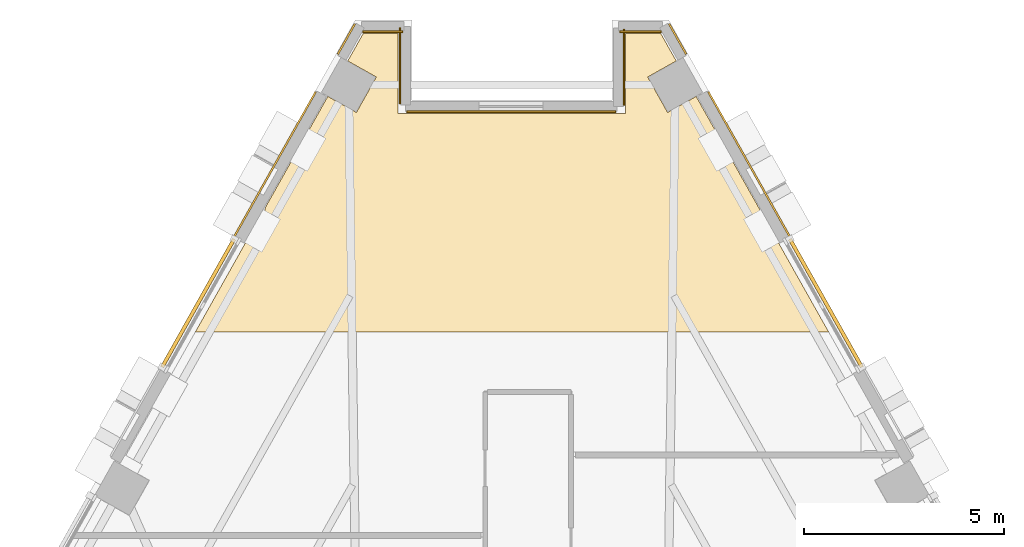
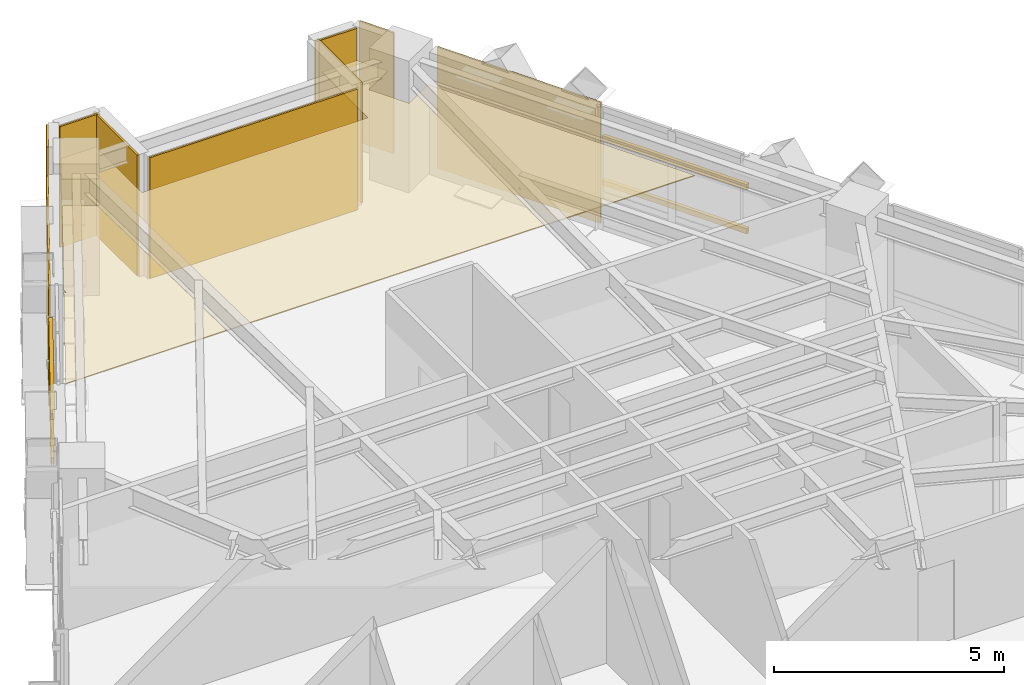
# One storey, part 14 of 14: 10 coverings, 4 shading devices.
"""IFC4 building model written with IfcOpenShell, lengths in metres."""

from ifc_helpers import new_model, si_unit, direction, frame, origin, origin_2d, place, context, subcontext, project, spatial, polyline, rectangle, outline, extrude, material, layer, layer_set, material_profile, profile_set, type_object, element, save


model = new_model("IFC4")

# Units and contexts
model_context = context("Model", 3, precision=1e-05, world=origin(), true_north=direction((0.0, 1.0)))
body_context = subcontext(model_context, "Body", "Model", "MODEL_VIEW")
ifc_project = project(units=[si_unit("LENGTHUNIT", "METRE"), si_unit("AREAUNIT", "SQUARE_METRE"), si_unit("VOLUMEUNIT", "CUBIC_METRE"), si_unit("PLANEANGLEUNIT", "RADIAN"), si_unit("MASSUNIT", "GRAM", prefix="KILO")], contexts=[model_context])

# Site, building, storey
site_placement = place(None, origin())
site = spatial("IfcSite", under=ifc_project, at=site_placement, CompositionType="ELEMENT")
building_placement = place(site_placement, origin())
building = spatial("IfcBuilding", under=site, at=building_placement, Name="Quenlor Broadcast Tower", CompositionType="ELEMENT")
storey_placement = place(building_placement, frame((0.0, 0.0, 133.5)))
storey = spatial("IfcBuildingStorey", under=building, at=storey_placement, Name="L36", CompositionType="ELEMENT", Elevation=133.5)

# Covering
ifc_material_1 = material(Name="Acoustic Mineral Fibre Board", Category="other")
ifc_layer_1 = layer(ifc_material_1, 0.02490234375)
ifc_layer_set_1 = layer_set([ifc_layer_1], Name="Acoustic Perforated Mineral Tile Ceiling 25")
covering_type_1 = type_object("IfcCoveringType", Name="Acoustic Perforated Mineral Tile Ceiling 25", PredefinedType="CEILING", material=ifc_layer_set_1)
covering_1_placement = place(storey_placement, frame((0.0, 0.0, 2.375)))
element("IfcCovering", 1, at=covering_1_placement, inside=storey, type_object=covering_type_1, Name="L36 Acoustic Ceiling L36-29-2", PredefinedType="CEILING", context=body_context, shape_type="SweptSolid", body=[
    extrude(outline(polyline([(3.387451171875, 19.015869140625), (3.885498046875, 18.13037109375), (4.598388671875, 18.53125), (7.90673828125, 12.64990234375), (-7.90673828125, 12.64990234375), (-6.20654296875, 15.672607421875), (-6.18408203125, 15.6572265625), (-6.16357421875, 15.63671875), (-6.159912109375, 15.75537109375), (-4.598388671875, 18.53125), (-3.885498046875, 18.13037109375), (-3.387451171875, 19.015869140625), (-4.100341796875, 19.416748046875), (-3.71630859375, 20.10009765625), (-2.840087890625, 20.10009765625), (-2.840087890625, 18.10009765625), (2.840087890625, 18.10009765625), (2.840087890625, 20.10009765625), (3.71630859375, 20.10009765625), (4.100341796875, 19.416748046875), (3.387451171875, 19.015869140625)])), origin(), (0.0, 0.0, 1.0), 0.02490234375),
])

# Shading devices
ifc_material_2 = material(Name="Architectural Terracotta Ceramic", Category="masonry")
ifc_material_profile = material_profile(ifc_material_2, rectangle(XDim=0.090087890625, YDim=0.139892578125, at=origin_2d()))
ifc_profile_set = profile_set([ifc_material_profile], Name="Architectural Terracotta Ceramic BAG90x140")
shading_device_type = type_object("IfcShadingDeviceType", Name="Copper Terracotta Baguette Solar Screen 140", PredefinedType="USERDEFINED", material=ifc_profile_set)
for number, where, z_axis, x_axis, name in (
    (2, (6.938720703125, 14.968505859375, 1.169921875), (0.490286548151, -0.871561300599, 0.0), (0.871561300599, 0.490286548151, 0.0), "L36 Terracotta Baguette Screen 1"),
    (3, (6.938720703125, 14.968505859375, 2.340087890625), (0.490286548151, -0.871561300599, 0.0), (0.871561300599, 0.490286548151, 0.0), "L36 Terracotta Baguette Screen 2"),
    (4, (-8.735107421875, 11.775146484375, 1.169921875), (0.490286548151, 0.871561300599, 0.0), (-0.871561300599, 0.490286548151, 0.0), "L36 Terracotta Baguette Screen 1"),
    (5, (-8.735107421875, 11.775146484375, 2.340087890625), (0.490286548151, 0.871561300599, 0.0), (-0.871561300599, 0.490286548151, 0.0), "L36 Terracotta Baguette Screen 2"),
):
    element("IfcShadingDevice", number, at=place(storey_placement, frame(where, z_axis=z_axis, x_axis=x_axis)), inside=storey, type_object=shading_device_type, Name=name, ObjectType="BAGUETTE", PredefinedType="USERDEFINED", context=body_context, shape_type="SweptSolid", body=[
        extrude(rectangle(XDim=0.090087890625, YDim=0.139892578125, at=origin_2d()), origin(), (0.0, 0.0, 1.0), 3.6640625),
    ])

# Coverings
ifc_material_3 = material(Name="Architectural Terracotta Ceramic", Category="masonry")
ifc_layer_2 = layer(ifc_material_3, 0.044921875)
ifc_layer_set_2 = layer_set([ifc_layer_2], Name="Fluted Terracotta Rainscreen Cladding Panel")
covering_type_2 = type_object("IfcCoveringType", Name="Fluted Terracotta Rainscreen Cladding Panel", PredefinedType="CLADDING", material=ifc_layer_set_2)
covering_2_placement = place(storey_placement, frame((0.0, 0.0, 0.02001953125)))
element("IfcCovering", 6, at=covering_2_placement, inside=storey, type_object=covering_type_2, Name="L36 Terracotta Rainscreen Cladding L36-SHD-NES0", PredefinedType="CLADDING", context=body_context, shape_type="SweptSolid", body=[
    extrude(outline(polyline([(3.904296875, 20.330810546875), (4.32861328125, 19.576171875), (4.367919921875, 19.59814453125), (3.943359375, 20.352783203125), (3.904296875, 20.330810546875)])), origin(), (0.0, 0.0, 1.0), 3.2099609375),
])
covering_3_placement = place(storey_placement, frame((0.0, 0.0, 0.02001953125)))
element("IfcCovering", 7, at=covering_3_placement, inside=storey, type_object=covering_type_2, Name="L36 Terracotta Rainscreen Cladding L36-NEA-SP1", PredefinedType="CLADDING", context=body_context, shape_type="SweptSolid", body=[
    extrude(outline(polyline([(4.880615234375, 18.635986328125), (6.910400390625, 15.027099609375), (6.94970703125, 15.04931640625), (4.919677734375, 18.657958984375), (4.880615234375, 18.635986328125)])), origin(), (0.0, 0.0, 1.0), 3.2099609375),
])
covering_4_placement = place(storey_placement, frame((0.0, 0.0, 0.02001953125)))
element("IfcCovering", 8, at=covering_4_placement, inside=storey, type_object=covering_type_2, Name="L36 Terracotta Rainscreen Cladding L36-SHD-NWS1", PredefinedType="CLADDING", context=body_context, shape_type="SweptSolid", body=[
    extrude(outline(polyline([(-4.32861328125, 19.576171875), (-3.904296875, 20.330810546875), (-3.943359375, 20.352783203125), (-4.367919921875, 19.59814453125), (-4.32861328125, 19.576171875)])), origin(), (0.0, 0.0, 1.0), 3.2099609375),
])
covering_5_placement = place(storey_placement, frame((0.0, 0.0, 0.02001953125)))
element("IfcCovering", 9, at=covering_5_placement, inside=storey, type_object=covering_type_2, Name="L36 Terracotta Rainscreen Cladding L36-NWC-SP2", PredefinedType="CLADDING", context=body_context, shape_type="SweptSolid", body=[
    extrude(outline(polyline([(-6.910400390625, 15.027099609375), (-4.880615234375, 18.635986328125), (-4.919677734375, 18.657958984375), (-6.94970703125, 15.04931640625), (-6.910400390625, 15.027099609375)])), origin(), (0.0, 0.0, 1.0), 3.2099609375),
])
covering_6_placement = place(storey_placement, frame((0.0, 0.0, 0.02001953125)))
element("IfcCovering", 10, at=covering_6_placement, inside=storey, type_object=covering_type_2, Name="L36 Terracotta Rainscreen Cladding L36-CNR-06", PredefinedType="CLADDING", context=body_context, shape_type="SweptSolid", body=[
    extrude(outline(polyline([(3.7314453125, 20.16796875), (2.68994140625, 20.16796875), (2.68994140625, 20.123046875), (3.7314453125, 20.123046875), (3.7314453125, 20.16796875)])), origin(), (0.0, 0.0, 1.0), 3.2099609375),
])
covering_7_placement = place(storey_placement, frame((0.0, 0.0, 0.02001953125)))
element("IfcCovering", 11, at=covering_7_placement, inside=storey, type_object=covering_type_2, Name="L36 Terracotta Rainscreen Cladding L36-CNR-07", PredefinedType="CLADDING", context=body_context, shape_type="SweptSolid", body=[
    extrude(outline(polyline([(2.77197265625, 20.2099609375), (2.77197265625, 18.31005859375), (2.81689453125, 18.31005859375), (2.81689453125, 20.2099609375), (2.77197265625, 20.2099609375)])), origin(), (0.0, 0.0, 1.0), 3.2099609375),
])
covering_8_placement = place(storey_placement, frame((0.0, 0.0, 0.02001953125)))
element("IfcCovering", 12, at=covering_8_placement, inside=storey, type_object=covering_type_2, Name="L36 Terracotta Rainscreen Cladding L36-CNR-08", PredefinedType="CLADDING", context=body_context, shape_type="SweptSolid", body=[
    extrude(outline(polyline([(2.590087890625, 18.16796875), (-2.6298828125, 18.16796875), (-2.6298828125, 18.123046875), (2.590087890625, 18.123046875), (2.590087890625, 18.16796875)])), origin(), (0.0, 0.0, 1.0), 3.2099609375),
])
covering_9_placement = place(storey_placement, frame((0.0, 0.0, 0.02001953125)))
element("IfcCovering", 13, at=covering_9_placement, inside=storey, type_object=covering_type_2, Name="L36 Terracotta Rainscreen Cladding L36-CNR-09", PredefinedType="CLADDING", context=body_context, shape_type="SweptSolid", body=[
    extrude(outline(polyline([(-2.77197265625, 18.35009765625), (-2.77197265625, 20.25), (-2.81689453125, 20.25), (-2.81689453125, 18.35009765625), (-2.77197265625, 18.35009765625)])), origin(), (0.0, 0.0, 1.0), 3.2099609375),
])
covering_10_placement = place(storey_placement, frame((0.0, 0.0, 0.02001953125)))
element("IfcCovering", 14, at=covering_10_placement, inside=storey, type_object=covering_type_2, Name="L36 Terracotta Rainscreen Cladding L36-CNR-10", PredefinedType="CLADDING", context=body_context, shape_type="SweptSolid", body=[
    extrude(outline(polyline([(-2.72998046875, 20.16796875), (-3.7314453125, 20.16796875), (-3.7314453125, 20.123046875), (-2.72998046875, 20.123046875), (-2.72998046875, 20.16796875)])), origin(), (0.0, 0.0, 1.0), 3.2099609375),
])

save(model, "model.ifc")
